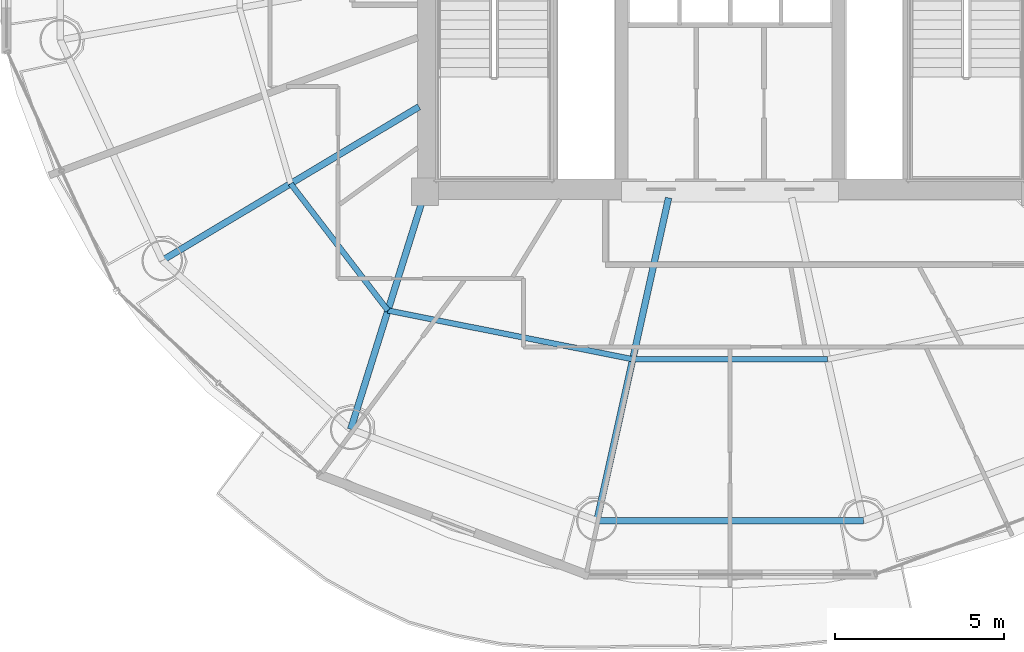
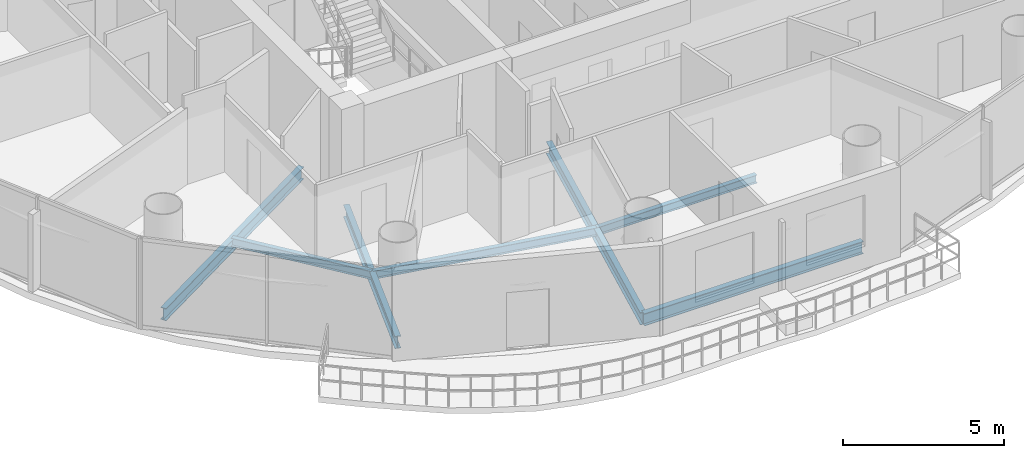
# One storey, part 4 of 26: 7 beams.
"""IFC4 building model written with IfcOpenShell, lengths in metres."""

from ifc_helpers import new_model, si_unit, direction, frame, origin, origin_2d, place, context, subcontext, project, spatial, i_section, extrude, material, material_profile, profile_set, type_object, element, save


model = new_model("IFC4")

# Units and contexts
model_context = context("Model", 3, precision=1e-05, world=origin(), true_north=direction((-0.2419218956, 0.970295726276)))
body_context = subcontext(model_context, "Body", "Model", "MODEL_VIEW")
ifc_project = project(units=[si_unit("LENGTHUNIT", "METRE"), si_unit("AREAUNIT", "SQUARE_METRE"), si_unit("VOLUMEUNIT", "CUBIC_METRE"), si_unit("PLANEANGLEUNIT", "RADIAN"), si_unit("MASSUNIT", "GRAM", prefix="KILO")], contexts=[model_context])

# Site, building, storey
site_placement = place(None, origin())
site = spatial("IfcSite", under=ifc_project, at=site_placement, CompositionType="ELEMENT")
building_placement = place(site_placement, origin())
building = spatial("IfcBuilding", under=site, at=building_placement, Name="Cobrevalo Terracotta Tower", CompositionType="ELEMENT")
storey_placement = place(building_placement, frame((0.0, 0.0, 209.699951171875)))
storey = spatial("IfcBuildingStorey", under=building, at=storey_placement, Name="L55", CompositionType="ELEMENT", Elevation=209.699951171875)

# Beams
ifc_material = material(Name="Steel S355", Category="steel")
ifc_material_profile_1 = material_profile(ifc_material, i_section(OverallWidth=0.194091796875, OverallDepth=0.468994140625, WebThickness=0.011474609375, FlangeThickness=0.0205078125, at=origin_2d()), Name="W 460x106")
ifc_profile_set_1 = profile_set([ifc_material_profile_1], Name="Steel S355")
beam_type_1 = type_object("IfcBeamType", Name="Structural Beam W 460x106 (Steel S355)", PredefinedType="BEAM", material=ifc_profile_set_1)
beam_1_placement = place(storey_placement, frame((21.245849609375, 16.77197265625, -0.49951171875), z_axis=(0.858046392192, 0.513572184651, 0.0), x_axis=(-0.513572184651, 0.858046392192, 0.0)))
element("IfcBeam", 1, at=beam_1_placement, inside=storey, type_object=beam_type_1, Name="L55 radial floor girder 10", PredefinedType="BEAM", context=body_context, shape_type="SweptSolid", body=[
    extrude(i_section(OverallWidth=0.194091796875, OverallDepth=0.468994140625, WebThickness=0.011474609375, FlangeThickness=0.0205078125, at=origin_2d()), origin(), (0.0, 0.0, 1.0), 8.827392578125),
])
beam_2_placement = place(storey_placement, frame((26.80517578125, 11.7919921875, -0.49951171875), z_axis=(0.298871212691, 0.954293454984, 0.0), x_axis=(-0.954293454984, 0.298871212691, 0.0)))
element("IfcBeam", 2, at=beam_2_placement, inside=storey, type_object=beam_type_1, Name="L55 radial floor girder 11", PredefinedType="BEAM", context=body_context, shape_type="SweptSolid", body=[
    extrude(i_section(OverallWidth=0.194091796875, OverallDepth=0.468994140625, WebThickness=0.011474609375, FlangeThickness=0.0205078125, at=origin_2d()), origin(), (0.0, 0.0, 1.0), 7.34375),
])
beam_3_placement = place(storey_placement, frame((34.06884765625, 9.096923828125, -0.49951171875), z_axis=(0.216782061165, 0.976220025382, 0.0), x_axis=(-0.976220025382, 0.216782061165, 0.0)))
element("IfcBeam", 3, at=beam_3_placement, inside=storey, type_object=beam_type_1, Name="L55 radial floor girder 12", PredefinedType="BEAM", context=body_context, shape_type="SweptSolid", body=[
    extrude(i_section(OverallWidth=0.194091796875, OverallDepth=0.468994140625, WebThickness=0.011474609375, FlangeThickness=0.0205078125, at=origin_2d()), origin(), (0.0, 0.0, 1.0), 9.755126953125),
])
ifc_material_profile_2 = material_profile(ifc_material, i_section(OverallWidth=0.1650390625, OverallDepth=0.31005859375, WebThickness=0.005859375, FlangeThickness=0.009765625, at=origin_2d()), Name="W 310x38.7")
ifc_profile_set_2 = profile_set([ifc_material_profile_2], Name="Steel S355")
beam_type_2 = type_object("IfcBeamType", Name="Structural Joist W 310x38.7 (Steel S355)", PredefinedType="JOIST", material=ifc_profile_set_2)
beam_4_placement = place(storey_placement, frame((25.032958984375, 19.03857421875, -0.419921875), z_axis=(0.608464146296, -0.793581364872, 0.0), x_axis=(0.793581364872, 0.608464146296, 0.0)))
element("IfcBeam", 4, at=beam_4_placement, inside=storey, type_object=beam_type_2, Name="L55 circumferential secondary floor joist 10", PredefinedType="JOIST", context=body_context, shape_type="SweptSolid", body=[
    extrude(i_section(OverallWidth=0.1650390625, OverallDepth=0.31005859375, WebThickness=0.005859375, FlangeThickness=0.009765625, at=origin_2d()), origin(), (0.0, 0.0, 1.0), 4.716064453125),
])
beam_5_placement = place(storey_placement, frame((27.902587890625, 15.2958984375, -0.419921875), z_axis=(0.980768907748, -0.195172614871, 0.0), x_axis=(0.195172614871, 0.980768907748, 0.0)))
element("IfcBeam", 5, at=beam_5_placement, inside=storey, type_object=beam_type_2, Name="L55 circumferential secondary floor joist 11", PredefinedType="JOIST", context=body_context, shape_type="SweptSolid", body=[
    extrude(i_section(OverallWidth=0.1650390625, OverallDepth=0.31005859375, WebThickness=0.005859375, FlangeThickness=0.009765625, at=origin_2d()), origin(), (0.0, 0.0, 1.0), 7.365234375),
])
beam_6_placement = place(storey_placement, frame((35.126220703125, 13.8583984375, -0.419921875), z_axis=(1.0, 0.0, 0.0), x_axis=(0.0, 1.0, 0.0)))
element("IfcBeam", 6, at=beam_6_placement, inside=storey, type_object=beam_type_2, Name="L55 circumferential secondary floor joist 12", PredefinedType="JOIST", context=body_context, shape_type="SweptSolid", body=[
    extrude(i_section(OverallWidth=0.1650390625, OverallDepth=0.31005859375, WebThickness=0.005859375, FlangeThickness=0.009765625, at=origin_2d()), origin(), (0.0, 0.0, 1.0), 5.74755859375),
])
ifc_material_profile_3 = material_profile(ifc_material, i_section(OverallWidth=0.194091796875, OverallDepth=0.468994140625, WebThickness=0.011474609375, FlangeThickness=0.0205078125, at=origin_2d()), Name="W 460x106")
ifc_profile_set_3 = profile_set([ifc_material_profile_3], Name="Steel S355")
beam_type_3 = type_object("IfcBeamType", Name="Structural Spandrel W 460x106 (Steel S355)", PredefinedType="SPANDREL", material=ifc_profile_set_3)
beam_7_placement = place(storey_placement, frame((34.06884765625, 9.096923828125, -0.49951171875), z_axis=(1.0, 0.0, 0.0), x_axis=(0.0, 1.0, 0.0)))
element("IfcBeam", 7, at=beam_7_placement, inside=storey, type_object=beam_type_3, Name="L55 perimeter ring spandrel 12", PredefinedType="SPANDREL", context=body_context, shape_type="SweptSolid", body=[
    extrude(i_section(OverallWidth=0.194091796875, OverallDepth=0.468994140625, WebThickness=0.011474609375, FlangeThickness=0.0205078125, at=origin_2d()), origin(), (0.0, 0.0, 1.0), 7.8623046875),
])

save(model, "model.ifc")
